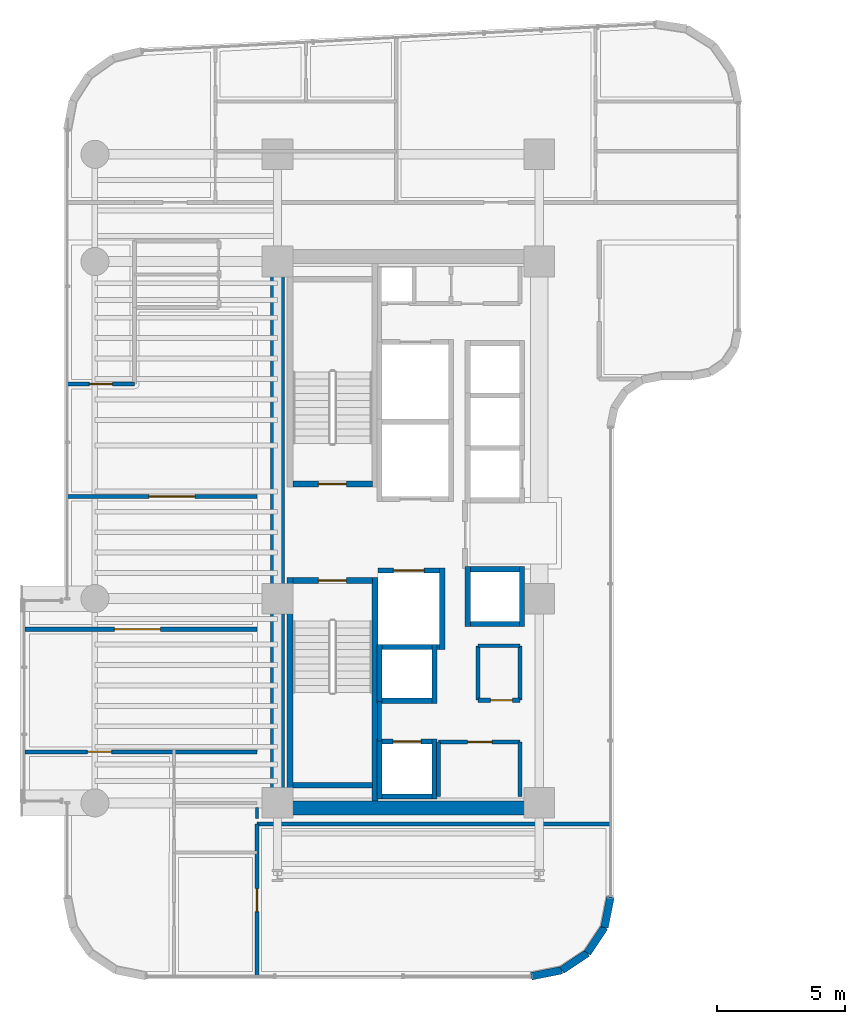
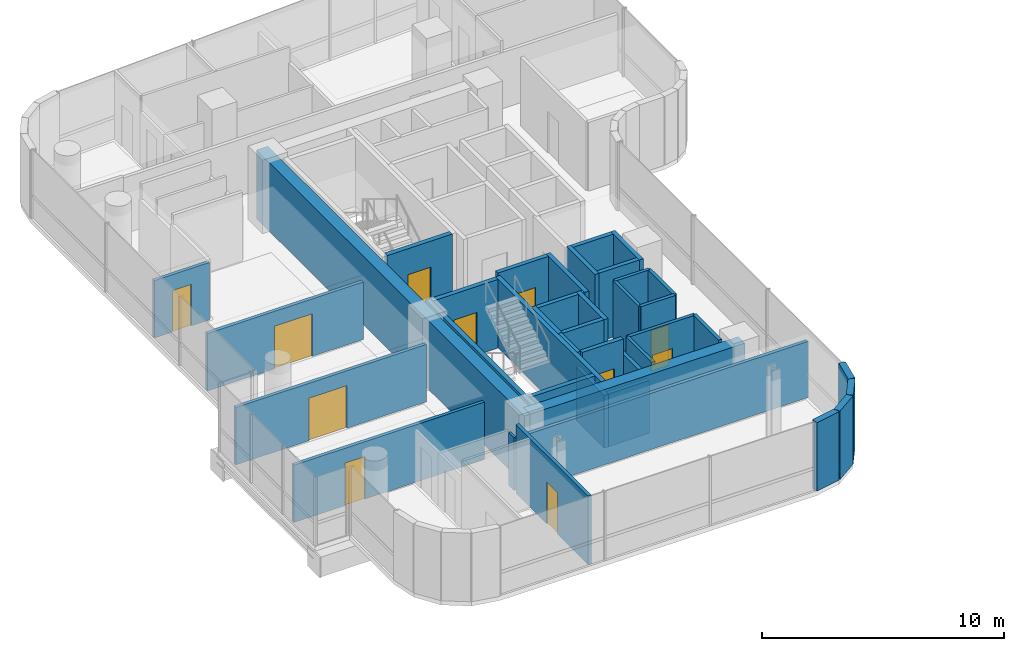
# One storey, part 26 of 34: 40 walls, 11 doors, 11 openings.
"""IFC4 building model written with IfcOpenShell, lengths in metres."""

from ifc_helpers import new_model, si_unit, direction, frame, frame_2d, origin, place, context, subcontext, project, spatial, rectangle, extrude, material, layer, layer_set, type_object, element, fill, save


model = new_model("IFC4")

# Units and contexts
model_context = context("Model", 3, precision=1e-05, world=origin(), true_north=direction((0.0, 1.0)))
body_context = subcontext(model_context, "Body", "Model", "MODEL_VIEW")
ifc_project = project(units=[si_unit("LENGTHUNIT", "METRE"), si_unit("AREAUNIT", "SQUARE_METRE"), si_unit("VOLUMEUNIT", "CUBIC_METRE"), si_unit("PLANEANGLEUNIT", "RADIAN"), si_unit("MASSUNIT", "GRAM", prefix="KILO")], contexts=[model_context])

# Site, building, storey
site_placement = place(None, origin())
site = spatial("IfcSite", under=ifc_project, at=site_placement, CompositionType="ELEMENT")
building_placement = place(site_placement, origin())
building = spatial("IfcBuilding", under=site, at=building_placement, Name="Valdorenza Pilgrim Sanctuary Tower", CompositionType="ELEMENT")
storey_placement = place(building_placement, frame((0.0, 0.0, 164.89990234375)))
storey = spatial("IfcBuildingStorey", under=building, at=storey_placement, Name="L42", CompositionType="ELEMENT", Elevation=164.89990234375)

# Wall
ifc_material_1 = material(Name="Acoustic twin-stud gypsum partition", Category="gypsum")
ifc_layer_1 = layer(ifc_material_1, 0.159912109375, Name="Acoustic twin-stud gypsum partition")
ifc_layer_set_1 = layer_set([ifc_layer_1], Name="Acoustic twin-stud gypsum partition")
wall_type_1 = type_object("IfcWallType", Name="WAL-COR-160", PredefinedType="PARTITIONING", material=ifc_layer_set_1)
wall_1_placement = place(storey_placement, frame((-18.64990234375, -8.179931640625, 0.0), z_axis=(0.0, 0.0, 1.0), x_axis=(0.0, 1.0, 0.0)))
element("IfcWall", 1, at=wall_1_placement, inside=storey, type_object=wall_type_1, Name="L42 Core A South Lift Hall West Wall", PredefinedType="PARTITIONING", context=body_context, shape_type="SweptSolid", body=[
    extrude(rectangle(XDim=1.559814453125, YDim=0.159912109375, at=frame_2d((0.77978515625, 0.0))), origin(), (0.0, 0.0, 1.0), 3.460205078125),
])

# Wall, opening, door
wall_2_placement = place(storey_placement, frame((-16.35009765625, -8.219970703125, 0.0), z_axis=(0.0, 0.0, 1.0), x_axis=(1.0, 0.0, 0.0)))
wall_2 = element("IfcWall", 2, at=wall_2_placement, inside=storey, type_object=wall_type_1, Name="L42 Freed Shaft 1 North Wall", PredefinedType="PARTITIONING", context=body_context, shape_type="SweptSolid", body=[
    extrude(rectangle(XDim=3.2001953125, YDim=0.159912109375, at=frame_2d((1.60009765625, 0.0))), origin(), (0.0, 0.0, 1.0), 3.460205078125),
])
opening_1_placement = place(wall_2_placement, frame((1.14990234375, 0.0, 0.0)))
opening_1 = element("IfcOpeningElement", 3, at=opening_1_placement, cuts=wall_2, Name="Opening DR-UN1", PredefinedType="OPENING", context=body_context, shape_type="SweptSolid", body=[
    extrude(rectangle(XDim=0.949951171875, YDim=2.14990234375, at=frame_2d((0.47509765625, 1.074951171875))), frame((0.0, 0.0947265625, 0.0), z_axis=(0.0, -1.0, 0.0), x_axis=(1.0, 0.0, 0.0)), (0.0, 0.0, 1.0), 0.189697265625),
])
ifc_material_2 = material(Name="Solid-core European oak timber", Category="wood")
door_type_1 = type_object("IfcDoorType", Name="DR-UNIT-950", OperationType="NOTDEFINED", PredefinedType="DOOR", material=ifc_material_2)
door_1_placement = place(opening_1_placement, origin())
door_1 = element("IfcDoor", 4, at=door_1_placement, inside=storey, type_object=door_type_1, Name="L42 Back-of-House Linen Store Door", OperationType="SINGLE_SWING_RIGHT", OverallHeight=2.14990234375, OverallWidth=0.949951171875, PredefinedType="DOOR", context=body_context, shape_type="SweptSolid", body=[
    extrude(rectangle(XDim=0.949951171875, YDim=2.14990234375, at=frame_2d((0.47509765625, 1.074951171875))), frame((0.0, 0.02490234375, 0.0), z_axis=(0.0, -1.0, 0.0), x_axis=(1.0, 0.0, 0.0)), (0.0, 0.0, 1.0), 0.050048828125),
])
fill(opening_1, door_1)

# Wall
wall_3_placement = place(storey_placement, frame((-13.14990234375, -10.35009765625, 0.0), z_axis=(0.0, 0.0, 1.0), x_axis=(0.0, 1.0, 0.0)))
element("IfcWall", 5, at=wall_3_placement, inside=storey, type_object=wall_type_1, Name="L42 Freed Shaft 1 East Wall", PredefinedType="PARTITIONING", context=body_context, shape_type="SweptSolid", body=[
    extrude(rectangle(XDim=2.130126953125, YDim=0.159912109375, at=frame_2d((1.06494140625, 0.0))), origin(), (0.0, 0.0, 1.0), 3.460205078125),
])

# Wall, opening, door
wall_4_placement = place(storey_placement, frame((-14.800048828125, -6.580078125, 0.0), z_axis=(0.0, 0.0, 1.0), x_axis=(1.0, 0.0, 0.0)))
wall_4 = element("IfcWall", 6, at=wall_4_placement, inside=storey, type_object=wall_type_1, Name="L42 Freed Shaft 2 South Wall", PredefinedType="PARTITIONING", context=body_context, shape_type="SweptSolid", body=[
    extrude(rectangle(XDim=1.650146484375, YDim=0.159912109375, at=frame_2d((0.8251953125, 0.0))), origin(), (0.0, 0.0, 1.0), 3.460205078125),
])
opening_2_placement = place(wall_4_placement, frame((0.5, 0.0, 0.0)))
opening_2 = element("IfcOpeningElement", 7, at=opening_2_placement, cuts=wall_4, Name="Opening DR-RS1", PredefinedType="OPENING", context=body_context, shape_type="SweptSolid", body=[
    extrude(rectangle(XDim=0.85009765625, YDim=2.050048828125, at=frame_2d((0.425048828125, 1.02490234375))), frame((0.0, 0.0947265625, 0.0), z_axis=(0.0, -1.0, 0.0), x_axis=(1.0, 0.0, 0.0)), (0.0, 0.0, 1.0), 0.189697265625),
])
ifc_material_3 = material(Name="Painted galvanized steel", Category="steel")
door_type_2 = type_object("IfcDoorType", Name="DR-RSR-850", OperationType="NOTDEFINED", PredefinedType="DOOR", material=ifc_material_3)
door_2_placement = place(opening_2_placement, origin())
door_2 = element("IfcDoor", 8, at=door_2_placement, inside=storey, type_object=door_type_2, Name="L42 Guest Tea Pantry Door", OperationType="SINGLE_SWING_LEFT", OverallHeight=2.050048828125, OverallWidth=0.85009765625, PredefinedType="DOOR", context=body_context, shape_type="SweptSolid", body=[
    extrude(rectangle(XDim=0.85009765625, YDim=2.050048828125, at=frame_2d((0.425048828125, 1.02490234375))), frame((0.0, 0.02490234375, 0.0), z_axis=(0.0, -1.0, 0.0), x_axis=(1.0, 0.0, 0.0)), (0.0, 0.0, 1.0), 0.050048828125),
])
fill(opening_2, door_2)

# Walls
wall_5_placement = place(storey_placement, frame((-13.14990234375, -6.580078125, 0.0), z_axis=(0.0, 0.0, 1.0), x_axis=(0.0, 1.0, 0.0)))
element("IfcWall", 9, at=wall_5_placement, inside=storey, type_object=wall_type_1, Name="L42 Freed Shaft 2 East Wall", PredefinedType="PARTITIONING", context=body_context, shape_type="SweptSolid", body=[
    extrude(rectangle(XDim=2.130126953125, YDim=0.159912109375, at=frame_2d((1.06494140625, 0.0))), origin(), (0.0, 0.0, 1.0), 3.460205078125),
])
wall_6_placement = place(storey_placement, frame((-23.449951171875, -11.419921875, 0.0), z_axis=(0.0, 0.0, 1.0), x_axis=(1.0, 0.0, 0.0)))
element("IfcWall", 10, at=wall_6_placement, inside=storey, type_object=wall_type_1, Name="L42 South-East Pocket North Wall", PredefinedType="PARTITIONING", context=body_context, shape_type="SweptSolid", body=[
    extrude(rectangle(XDim=13.83984375, YDim=0.159912109375, at=frame_2d((6.919921875, 0.0))), origin(), (0.0, 0.0, 1.0), 2.833984375),
])

# Wall, opening, door
wall_7_placement = place(storey_placement, frame((-23.449951171875, -17.389892578125, 0.0), z_axis=(0.0, 0.0, 1.0), x_axis=(0.0, 1.0, 0.0)))
wall_7 = element("IfcWall", 11, at=wall_7_placement, inside=storey, type_object=wall_type_1, Name="L42 South-East Pocket West Wall", PredefinedType="PARTITIONING", context=body_context, shape_type="SweptSolid", body=[
    extrude(rectangle(XDim=5.969970703125, YDim=0.159912109375, at=frame_2d((2.98486328125, 0.0))), origin(), (0.0, 0.0, 1.0), 3.460205078125),
])
opening_3_placement = place(wall_7_placement, frame((2.534912109375, 0.0, 0.0)))
opening_3 = element("IfcOpeningElement", 12, at=opening_3_placement, cuts=wall_7, Name="Opening DR-RM1", PredefinedType="OPENING", context=body_context, shape_type="SweptSolid", body=[
    extrude(rectangle(XDim=0.89990234375, YDim=2.10009765625, at=frame_2d((0.449951171875, 1.050048828125))), frame((0.0, 0.0947265625, 0.0), z_axis=(0.0, -1.0, 0.0), x_axis=(1.0, 0.0, 0.0)), (0.0, 0.0, 1.0), 0.189697265625),
])
door_type_3 = type_object("IfcDoorType", Name="DR-ROOM-900", OperationType="NOTDEFINED", PredefinedType="DOOR", material=ifc_material_2)
door_3_placement = place(opening_3_placement, origin())
door_3 = element("IfcDoor", 13, at=door_3_placement, inside=storey, type_object=door_type_3, Name="L42 Sacred Archive Reading Library L42-S Door", OperationType="SINGLE_SWING_RIGHT", OverallHeight=2.10009765625, OverallWidth=0.89990234375, PredefinedType="DOOR", context=body_context, shape_type="SweptSolid", body=[
    extrude(rectangle(XDim=0.89990234375, YDim=2.10009765625, at=frame_2d((0.449951171875, 1.050048828125))), frame((0.0, 0.02490234375, 0.0), z_axis=(0.0, -1.0, 0.0), x_axis=(1.0, 0.0, 0.0)), (0.0, 0.0, 1.0), 0.050048828125),
])
fill(opening_3, door_3)

wall_8_placement = place(storey_placement, frame((-32.5400390625, -8.60009765625, 0.0), z_axis=(0.0, 0.0, 1.0), x_axis=(1.0, 0.0, 0.0)))
wall_8 = element("IfcWall", 14, at=wall_8_placement, inside=storey, type_object=wall_type_1, Name="L42 Cloister South Room Wall", PredefinedType="PARTITIONING", context=body_context, shape_type="SweptSolid", body=[
    extrude(rectangle(XDim=9.090087890625, YDim=0.159912109375, at=frame_2d((4.544921875, 0.0))), origin(), (0.0, 0.0, 1.0), 2.89599609375),
])
opening_4_placement = place(wall_8_placement, frame((2.44091796875, 0.0, 0.0)))
opening_4 = element("IfcOpeningElement", 15, at=opening_4_placement, cuts=wall_8, Name="Opening DR-UN1", PredefinedType="OPENING", context=body_context, shape_type="SweptSolid", body=[
    extrude(rectangle(XDim=0.949951171875, YDim=2.14990234375, at=frame_2d((0.47509765625, 1.074951171875))), frame((0.0, 0.0947265625, 0.0), z_axis=(0.0, -1.0, 0.0), x_axis=(1.0, 0.0, 0.0)), (0.0, 0.0, 1.0), 0.189697265625),
])
door_4_placement = place(opening_4_placement, frame((0.949951171875, 0.0, 0.0), z_axis=(0.0, 0.0, 1.0), x_axis=(-1.0, 0.0, 0.0)))
door_4 = element("IfcDoor", 16, at=door_4_placement, inside=storey, type_object=door_type_1, Name="L42 Sanctuary Apartment L42-CS1 Entrance Door", OperationType="SINGLE_SWING_LEFT", OverallHeight=2.14990234375, OverallWidth=0.949951171875, PredefinedType="DOOR", context=body_context, shape_type="SweptSolid", body=[
    extrude(rectangle(XDim=0.949951171875, YDim=2.14990234375, at=frame_2d((0.47509765625, 1.074951171875))), frame((0.0, 0.02490234375, 0.0), z_axis=(0.0, -1.0, 0.0), x_axis=(1.0, 0.0, 0.0)), (0.0, 0.0, 1.0), 0.050048828125),
])
fill(opening_4, door_4)

wall_9_placement = place(storey_placement, frame((-30.889892578125, 5.800048828125, 0.0), z_axis=(0.0, 0.0, 1.0), x_axis=(1.0, 0.0, 0.0)))
wall_9 = element("IfcWall", 17, at=wall_9_placement, inside=storey, type_object=wall_type_1, Name="L42 Cloister North Room Wall", PredefinedType="PARTITIONING", context=body_context, shape_type="SweptSolid", body=[
    extrude(rectangle(XDim=2.639892578125, YDim=0.159912109375, at=frame_2d((1.31982421875, 0.0))), origin(), (0.0, 0.0, 1.0), 2.89599609375),
])
opening_5_placement = place(wall_9_placement, frame((0.8701171875, 0.0, 0.0)))
opening_5 = element("IfcOpeningElement", 18, at=opening_5_placement, cuts=wall_9, Name="Opening DR-RM1", PredefinedType="OPENING", context=body_context, shape_type="SweptSolid", body=[
    extrude(rectangle(XDim=0.89990234375, YDim=2.10009765625, at=frame_2d((0.449951171875, 1.050048828125))), frame((0.0, 0.0947265625, 0.0), z_axis=(0.0, -1.0, 0.0), x_axis=(1.0, 0.0, 0.0)), (0.0, 0.0, 1.0), 0.189697265625),
])
door_5_placement = place(opening_5_placement, frame((0.89990234375, 0.0, 0.0), z_axis=(0.0, 0.0, 1.0), x_axis=(-1.0, 0.0, 0.0)))
door_5 = element("IfcDoor", 19, at=door_5_placement, inside=storey, type_object=door_type_3, Name="L42 Pilgrim Scholar Office L42-1 Door", OperationType="SINGLE_SWING_LEFT", OverallHeight=2.10009765625, OverallWidth=0.89990234375, PredefinedType="DOOR", context=body_context, shape_type="SweptSolid", body=[
    extrude(rectangle(XDim=0.89990234375, YDim=2.10009765625, at=frame_2d((0.449951171875, 1.050048828125))), frame((0.0, 0.02490234375, 0.0), z_axis=(0.0, -1.0, 0.0), x_axis=(1.0, 0.0, 0.0)), (0.0, 0.0, 1.0), 0.050048828125),
])
fill(opening_5, door_5)

wall_10_placement = place(storey_placement, frame((-32.5400390625, -3.800048828125, 0.0), z_axis=(0.0, 0.0, 1.0), x_axis=(1.0, 0.0, 0.0)))
wall_10 = element("IfcWall", 20, at=wall_10_placement, inside=storey, type_object=wall_type_1, Name="L42 Cloister Mid Wall 1", PredefinedType="PARTITIONING", context=body_context, shape_type="SweptSolid", body=[
    extrude(rectangle(XDim=9.090087890625, YDim=0.159912109375, at=frame_2d((4.544921875, 0.0))), origin(), (0.0, 0.0, 1.0), 2.89599609375),
])
opening_6_placement = place(wall_10_placement, frame((3.5, 0.0, 0.0)))
opening_6 = element("IfcOpeningElement", 21, at=opening_6_placement, cuts=wall_10, Name="Opening DR-HL1", PredefinedType="OPENING", context=body_context, shape_type="SweptSolid", body=[
    extrude(rectangle(XDim=1.800048828125, YDim=2.14990234375, at=frame_2d((0.89990234375, 1.074951171875))), frame((0.0, 0.0947265625, 0.0), z_axis=(0.0, -1.0, 0.0), x_axis=(1.0, 0.0, 0.0)), (0.0, 0.0, 1.0), 0.189697265625),
])
ifc_material_4 = material(Name="Acoustic oak and vision-glass double door", Category="glass")
door_type_4 = type_object("IfcDoorType", Name="DR-HALL-1800", OperationType="NOTDEFINED", PredefinedType="DOOR", material=ifc_material_4)
door_6_placement = place(opening_6_placement, origin())
door_6 = element("IfcDoor", 22, at=door_6_placement, inside=storey, type_object=door_type_4, Name="L42 Cloister South-Mid Double Door", OperationType="DOUBLE_DOOR_SINGLE_SWING", OverallHeight=2.14990234375, OverallWidth=1.800048828125, PredefinedType="DOOR", context=body_context, shape_type="SweptSolid", body=[
    extrude(rectangle(XDim=1.800048828125, YDim=2.14990234375, at=frame_2d((0.89990234375, 1.074951171875))), frame((0.0, 0.02490234375, 0.0), z_axis=(0.0, -1.0, 0.0), x_axis=(1.0, 0.0, 0.0)), (0.0, 0.0, 1.0), 0.050048828125),
])
fill(opening_6, door_6)

wall_11_placement = place(storey_placement, frame((-30.889892578125, 1.39990234375, 0.0), z_axis=(0.0, 0.0, 1.0), x_axis=(1.0, 0.0, 0.0)))
wall_11 = element("IfcWall", 23, at=wall_11_placement, inside=storey, type_object=wall_type_1, Name="L42 Cloister Mid Wall 2", PredefinedType="PARTITIONING", context=body_context, shape_type="SweptSolid", body=[
    extrude(rectangle(XDim=7.43994140625, YDim=0.159912109375, at=frame_2d((3.719970703125, 0.0))), origin(), (0.0, 0.0, 1.0), 2.89599609375),
])
opening_7_placement = place(wall_11_placement, frame((3.199951171875, 0.0, 0.0)))
opening_7 = element("IfcOpeningElement", 24, at=opening_7_placement, cuts=wall_11, Name="Opening DR-HL1", PredefinedType="OPENING", context=body_context, shape_type="SweptSolid", body=[
    extrude(rectangle(XDim=1.800048828125, YDim=2.14990234375, at=frame_2d((0.89990234375, 1.074951171875))), frame((0.0, 0.0947265625, 0.0), z_axis=(0.0, -1.0, 0.0), x_axis=(1.0, 0.0, 0.0)), (0.0, 0.0, 1.0), 0.189697265625),
])
door_7_placement = place(opening_7_placement, frame((1.800048828125, 0.0, 0.0), z_axis=(0.0, 0.0, 1.0), x_axis=(-1.0, 0.0, 0.0)))
door_7 = element("IfcDoor", 25, at=door_7_placement, inside=storey, type_object=door_type_4, Name="L42 Cloister Mid-North Double Door", OperationType="DOUBLE_DOOR_SINGLE_SWING", OverallHeight=2.14990234375, OverallWidth=1.800048828125, PredefinedType="DOOR", context=body_context, shape_type="SweptSolid", body=[
    extrude(rectangle(XDim=1.800048828125, YDim=2.14990234375, at=frame_2d((0.89990234375, 1.074951171875))), frame((0.0, 0.02490234375, 0.0), z_axis=(0.0, -1.0, 0.0), x_axis=(1.0, 0.0, 0.0)), (0.0, 0.0, 1.0), 0.050048828125),
])
fill(opening_7, door_7)

# Walls
ifc_material_5 = material(Name="Concrete C50/60", Category="concrete")
ifc_layer_2 = layer(ifc_material_5, 0.550048828125, Name="Concrete C50/60")
ifc_layer_set_2 = layer_set([ifc_layer_2], Name="Concrete C50/60")
wall_type_2 = type_object("IfcWallType", Name="WAL-COR-550", PredefinedType="SHEAR", material=ifc_layer_set_2)
wall_12_placement = place(storey_placement, frame((-22.64990234375, -11.074951171875, 0.0), z_axis=(0.0, 0.0, 1.0), x_axis=(0.0, 1.0, 0.0)))
element("IfcWall", 26, at=wall_12_placement, inside=storey, type_object=wall_type_2, Name="L42 Split Core A Shear Wall W", PredefinedType="SHEAR", context=body_context, shape_type="SweptSolid", body=[
    extrude(rectangle(XDim=22.14990234375, YDim=0.550048828125, at=frame_2d((11.074951171875, 0.0))), origin(), (0.0, 0.0, 1.0), 3.460205078125),
])
wall_13_placement = place(storey_placement, frame((-22.64990234375, -10.800048828125, 0.0), z_axis=(0.0, 0.0, 1.0), x_axis=(1.0, 0.0, 0.0)))
element("IfcWall", 27, at=wall_13_placement, inside=storey, type_object=wall_type_2, Name="L42 Split Core A Shear Wall S", PredefinedType="SHEAR", context=body_context, shape_type="SweptSolid", body=[
    extrude(rectangle(XDim=10.25, YDim=0.550048828125, at=frame_2d((5.125, 0.0))), origin(), (0.0, 0.0, 1.0), 3.460205078125),
])
ifc_material_6 = material(Name="Honed travertine limestone", Category="masonry")
ifc_layer_3 = layer(ifc_material_6, 0.300048828125, Name="Honed travertine limestone")
ifc_layer_set_3 = layer_set([ifc_layer_3], Name="Honed travertine limestone")
wall_type_3 = type_object("IfcWallType", Name="WAL-EXT-300", PredefinedType="SOLIDWALL", material=ifc_layer_set_3)
wall_14_placement = place(storey_placement, frame((-9.610107421875, -14.289306640625, 0.0), z_axis=(0.0, 0.0, 1.0), x_axis=(-0.194996050505, -0.980804027463, 0.0)))
element("IfcWall", 28, at=wall_14_placement, inside=storey, type_object=wall_type_3, Name="L42 Rounded Wind-Corner Stone Pier 22", PredefinedType="SOLIDWALL", context=body_context, shape_type="SweptSolid", body=[
    extrude(rectangle(XDim=1.2158203125, YDim=0.300048828125, at=frame_2d((0.60791015625, 0.0))), origin(), (0.0, 0.0, 1.0), 3.460205078125),
])
for number, where, z_axis, x_axis, name in (
    (29, (-9.84716796875, -15.481689453125, 0.0), (0.0, 0.0, 1.0), (-0.555635100982, -0.831426265255, 0.0), "L42 Rounded Wind-Corner Stone Pier 23"),
    (30, (-10.5166015625, -16.4833984375, 0.0), (0.0, 0.0, 1.0), (-0.831426265255, -0.555635100982, 0.0), "L42 Rounded Wind-Corner Stone Pier 24"),
):
    element("IfcWall", number, at=place(storey_placement, frame(where, z_axis=z_axis, x_axis=x_axis)), inside=storey, type_object=wall_type_3, Name=name, PredefinedType="SOLIDWALL", context=body_context, shape_type="SweptSolid", body=[
        extrude(rectangle(XDim=1.204833984375, YDim=0.300048828125, at=frame_2d((0.6025390625, 0.0))), origin(), (0.0, 0.0, 1.0), 3.460205078125),
    ])
wall_15_placement = place(storey_placement, frame((-11.518310546875, -17.15283203125, 0.0), z_axis=(0.0, 0.0, 1.0), x_axis=(-0.980804027463, -0.194996050505, 0.0)))
element("IfcWall", 31, at=wall_15_placement, inside=storey, type_object=wall_type_3, Name="L42 Rounded Wind-Corner Stone Pier 25", PredefinedType="SOLIDWALL", context=body_context, shape_type="SweptSolid", body=[
    extrude(rectangle(XDim=1.2158203125, YDim=0.300048828125, at=frame_2d((0.60791015625, 0.0))), origin(), (0.0, 0.0, 1.0), 3.460205078125),
])
ifc_material_7 = material(Name="Moisture-resistant gypsum partition", Category="gypsum")
ifc_layer_4 = layer(ifc_material_7, 0.1201171875, Name="Moisture-resistant gypsum partition")
ifc_layer_set_4 = layer_set([ifc_layer_4], Name="Moisture-resistant gypsum partition")
wall_type_4 = type_object("IfcWallType", Name="WAL-INT-120", PredefinedType="PARTITIONING", material=ifc_layer_set_4)
wall_16_placement = place(storey_placement, frame((-23.449951171875, -11.219970703125, 0.0), z_axis=(0.0, 0.0, 1.0), x_axis=(0.0, 1.0, 0.0)))
element("IfcWall", 32, at=wall_16_placement, inside=storey, type_object=wall_type_4, Name="L42 CL-SF1-BTH Enclosure Wall E", PredefinedType="PARTITIONING", context=body_context, shape_type="SweptSolid", body=[
    extrude(rectangle(XDim=0.43994140625, YDim=0.1201171875, at=frame_2d((0.219970703125, 0.0))), origin(), (0.0, 0.0, 1.0), 2.666015625),
])
ifc_material_8 = material(Name="Autoclaved aerated concrete blockwork", Category="masonry")
ifc_layer_5 = layer(ifc_material_8, 0.199951171875, Name="Autoclaved aerated concrete blockwork")
ifc_layer_set_5 = layer_set([ifc_layer_5], Name="Autoclaved aerated concrete blockwork")
wall_type_5 = type_object("IfcWallType", Name="WAL-SHF-200", PredefinedType="MOVABLE", material=ifc_layer_set_5)
wall_17_placement = place(storey_placement, frame((-16.199951171875, -4.60009765625, 0.0), z_axis=(0.0, 0.0, 1.0), x_axis=(0.0, 1.0, 0.0)))
element("IfcWall", 33, at=wall_17_placement, inside=storey, type_object=wall_type_5, Name="L42 Lift FFL-02 Hoistway Wall East", PredefinedType="MOVABLE", context=body_context, shape_type="SweptSolid", body=[
    extrude(rectangle(XDim=3.2001953125, YDim=0.199951171875, at=frame_2d((1.60009765625, 0.0))), origin(), (0.0, 0.0, 1.0), 3.460205078125),
])
wall_18_placement = place(storey_placement, frame((-18.719970703125, -4.5, 0.0), z_axis=(0.0, 0.0, 1.0), x_axis=(1.0, 0.0, 0.0)))
element("IfcWall", 34, at=wall_18_placement, inside=storey, type_object=wall_type_5, Name="L42 Lift FFL-02 Hoistway Wall South", PredefinedType="MOVABLE", context=body_context, shape_type="SweptSolid", body=[
    extrude(rectangle(XDim=2.419921875, YDim=0.199951171875, at=frame_2d((1.2099609375, 0.0))), origin(), (0.0, 0.0, 1.0), 3.460205078125),
])

# Wall, opening, door
wall_19_placement = place(storey_placement, frame((-18.719970703125, -1.5, 0.0), z_axis=(0.0, 0.0, 1.0), x_axis=(1.0, 0.0, 0.0)))
wall_19 = element("IfcWall", 35, at=wall_19_placement, inside=storey, type_object=wall_type_5, Name="L42 Lift FFL-02 Hoistway Wall North", PredefinedType="MOVABLE", context=body_context, shape_type="SweptSolid", body=[
    extrude(rectangle(XDim=2.419921875, YDim=0.199951171875, at=frame_2d((1.2099609375, 0.0))), origin(), (0.0, 0.0, 1.0), 3.460205078125),
])
opening_8_placement = place(wall_19_placement, frame((0.610107421875, 0.0, 0.0)))
opening_8 = element("IfcOpeningElement", 36, at=opening_8_placement, cuts=wall_19, Name="Opening LD-02", PredefinedType="OPENING", context=body_context, shape_type="SweptSolid", body=[
    extrude(rectangle(XDim=1.199951171875, YDim=2.10009765625, at=frame_2d((0.60009765625, 1.050048828125))), frame((0.0, 0.11474609375, 0.0), z_axis=(0.0, -1.0, 0.0), x_axis=(1.0, 0.0, 0.0)), (0.0, 0.0, 1.0), 0.229736328125),
])
ifc_material_9 = material(Name="Brushed stainless steel Grade 316", Category="steel")
door_type_5 = type_object("IfcDoorType", Name="DR-LFT-1200", OperationType="DOUBLE_DOOR_SLIDING", PredefinedType="DOOR", material=ifc_material_9)
door_8_placement = place(opening_8_placement, origin())
door_8 = element("IfcDoor", 37, at=door_8_placement, inside=storey, type_object=door_type_5, Name="L42 Lift FFL-02 Sliding Landing Door", OperationType="DOUBLE_DOOR_SLIDING", OverallHeight=2.10009765625, OverallWidth=1.199951171875, PredefinedType="DOOR", context=body_context, shape_type="SweptSolid", body=[
    extrude(rectangle(XDim=1.199951171875, YDim=2.10009765625, at=frame_2d((0.60009765625, 1.050048828125))), frame((0.0, 0.02490234375, 0.0), z_axis=(0.0, -1.0, 0.0), x_axis=(1.0, 0.0, 0.0)), (0.0, 0.0, 1.0), 0.050048828125),
])
fill(opening_8, door_8)

# Walls
for number, where, z_axis, x_axis, name in (
    (38, (-18.64990234375, -10.449951171875, 0.0), (0.0, 0.0, 1.0), (0.0, 1.0, 0.0), "L42 Lift PL-05 Hoistway Wall West"),
    (39, (-16.5, -10.449951171875, 0.0), (0.0, 0.0, 1.0), (0.0, 1.0, 0.0), "L42 Lift PL-05 Hoistway Wall East"),
):
    element("IfcWall", number, at=place(storey_placement, frame(where, z_axis=z_axis, x_axis=x_axis)), inside=storey, type_object=wall_type_5, Name=name, PredefinedType="MOVABLE", context=body_context, shape_type="SweptSolid", body=[
        extrude(rectangle(XDim=2.349853515625, YDim=0.199951171875, at=frame_2d((1.1748046875, 0.0))), origin(), (0.0, 0.0, 1.0), 2.666015625),
    ])
wall_20_placement = place(storey_placement, frame((-18.550048828125, -10.35009765625, 0.0), z_axis=(0.0, 0.0, 1.0), x_axis=(1.0, 0.0, 0.0)))
element("IfcWall", 40, at=wall_20_placement, inside=storey, type_object=wall_type_5, Name="L42 Lift PL-05 Hoistway Wall South", PredefinedType="MOVABLE", context=body_context, shape_type="SweptSolid", body=[
    extrude(rectangle(XDim=1.949951171875, YDim=0.199951171875, at=frame_2d((0.97509765625, 0.0))), origin(), (0.0, 0.0, 1.0), 2.666015625),
])

# Wall, opening, door
wall_21_placement = place(storey_placement, frame((-18.550048828125, -8.199951171875, 0.0), z_axis=(0.0, 0.0, 1.0), x_axis=(1.0, 0.0, 0.0)))
wall_21 = element("IfcWall", 41, at=wall_21_placement, inside=storey, type_object=wall_type_5, Name="L42 Lift PL-05 Hoistway Wall North", PredefinedType="MOVABLE", context=body_context, shape_type="SweptSolid", body=[
    extrude(rectangle(XDim=1.949951171875, YDim=0.199951171875, at=frame_2d((0.97509765625, 0.0))), origin(), (0.0, 0.0, 1.0), 3.460205078125),
])
opening_9_placement = place(wall_21_placement, frame((0.425048828125, 0.0, 0.0)))
opening_9 = element("IfcOpeningElement", 42, at=opening_9_placement, cuts=wall_21, Name="Opening LD-01", PredefinedType="OPENING", context=body_context, shape_type="SweptSolid", body=[
    extrude(rectangle(XDim=1.10009765625, YDim=2.10009765625, at=frame_2d((0.550048828125, 1.050048828125))), frame((0.0, 0.11474609375, 0.0), z_axis=(0.0, -1.0, 0.0), x_axis=(1.0, 0.0, 0.0)), (0.0, 0.0, 1.0), 0.229736328125),
])
door_type_6 = type_object("IfcDoorType", Name="DR-LFT-1100", OperationType="DOUBLE_DOOR_SLIDING", PredefinedType="DOOR", material=ifc_material_9)
door_9_placement = place(opening_9_placement, origin())
door_9 = element("IfcDoor", 43, at=door_9_placement, inside=storey, type_object=door_type_6, Name="L42 Lift PL-05 Sliding Landing Door", OperationType="DOUBLE_DOOR_SLIDING", OverallHeight=2.10009765625, OverallWidth=1.10009765625, PredefinedType="DOOR", context=body_context, shape_type="SweptSolid", body=[
    extrude(rectangle(XDim=1.10009765625, YDim=2.10009765625, at=frame_2d((0.550048828125, 1.050048828125))), frame((0.0, 0.02490234375, 0.0), z_axis=(0.0, -1.0, 0.0), x_axis=(1.0, 0.0, 0.0)), (0.0, 0.0, 1.0), 0.050048828125),
])
fill(opening_9, door_9)

# Walls
for number, where, z_axis, x_axis, name in (
    (44, (-18.64990234375, -6.699951171875, 0.0), (0.0, 0.0, 1.0), (0.0, 1.0, 0.0), "L42 Lift PL-11 Hoistway Wall West"),
    (45, (-16.5, -6.699951171875, 0.0), (0.0, 0.0, 1.0), (0.0, 1.0, 0.0), "L42 Lift PL-11 Hoistway Wall East"),
):
    element("IfcWall", number, at=place(storey_placement, frame(where, z_axis=z_axis, x_axis=x_axis)), inside=storey, type_object=wall_type_5, Name=name, PredefinedType="MOVABLE", context=body_context, shape_type="SweptSolid", body=[
        extrude(rectangle(XDim=2.300048828125, YDim=0.199951171875, at=frame_2d((1.14990234375, 0.0))), origin(), (0.0, 0.0, 1.0), 3.460205078125),
    ])
wall_22_placement = place(storey_placement, frame((-18.550048828125, -6.60009765625, 0.0), z_axis=(0.0, 0.0, 1.0), x_axis=(1.0, 0.0, 0.0)))
element("IfcWall", 46, at=wall_22_placement, inside=storey, type_object=wall_type_5, Name="L42 Lift PL-11 Hoistway Wall South", PredefinedType="MOVABLE", context=body_context, shape_type="SweptSolid", body=[
    extrude(rectangle(XDim=1.949951171875, YDim=0.199951171875, at=frame_2d((0.97509765625, 0.0))), origin(), (0.0, 0.0, 1.0), 3.460205078125),
])
for number, where, z_axis, x_axis, name in (
    (47, (-15.199951171875, -3.699951171875, 0.0), (0.0, 0.0, 1.0), (0.0, 1.0, 0.0), "L42 Lift PL-12 Hoistway Wall West"),
    (48, (-13.080078125, -3.699951171875, 0.0), (0.0, 0.0, 1.0), (0.0, 1.0, 0.0), "L42 Lift PL-12 Hoistway Wall East"),
):
    element("IfcWall", number, at=place(storey_placement, frame(where, z_axis=z_axis, x_axis=x_axis)), inside=storey, type_object=wall_type_5, Name=name, PredefinedType="MOVABLE", context=body_context, shape_type="SweptSolid", body=[
        extrude(rectangle(XDim=2.349853515625, YDim=0.199951171875, at=frame_2d((1.1748046875, 0.0))), origin(), (0.0, 0.0, 1.0), 3.460205078125),
    ])
for number, where, z_axis, x_axis, name in (
    (49, (-15.10009765625, -3.60009765625, 0.0), (0.0, 0.0, 1.0), (1.0, 0.0, 0.0), "L42 Lift PL-12 Hoistway Wall South"),
    (50, (-15.10009765625, -1.449951171875, 0.0), (0.0, 0.0, 1.0), (1.0, 0.0, 0.0), "L42 Lift PL-12 Hoistway Wall North"),
):
    element("IfcWall", number, at=place(storey_placement, frame(where, z_axis=z_axis, x_axis=x_axis)), inside=storey, type_object=wall_type_5, Name=name, PredefinedType="MOVABLE", context=body_context, shape_type="SweptSolid", body=[
        extrude(rectangle(XDim=1.920166015625, YDim=0.199951171875, at=frame_2d((0.9599609375, 0.0))), origin(), (0.0, 0.0, 1.0), 3.460205078125),
    ])

# Wall, opening, door
ifc_material_10 = material(Name="Concrete C40/50", Category="concrete")
ifc_layer_6 = layer(ifc_material_10, 0.219970703125, Name="Concrete C40/50")
ifc_layer_set_6 = layer_set([ifc_layer_6], Name="Concrete C40/50")
wall_type_6 = type_object("IfcWallType", Name="WAL-STR-SHF-220", PredefinedType="SHEAR", material=ifc_layer_set_6)
wall_23_placement = place(storey_placement, frame((-22.050048828125, 1.889892578125, 0.0), z_axis=(0.0, 0.0, 1.0), x_axis=(1.0, 0.0, 0.0)))
wall_23 = element("IfcWall", 51, at=wall_23_placement, inside=storey, type_object=wall_type_6, Name="L42 ST-A1 Structural Stairwell Wall S", PredefinedType="SHEAR", context=body_context, shape_type="SweptSolid", body=[
    extrude(rectangle(XDim=3.110107421875, YDim=0.219970703125, at=frame_2d((1.55517578125, 0.0))), origin(), (0.0, 0.0, 1.0), 3.460205078125),
])
opening_10_placement = place(wall_23_placement, frame((1.0, 0.0, 0.0)))
opening_10 = element("IfcOpeningElement", 52, at=opening_10_placement, cuts=wall_23, Name="Opening DR-ST1", PredefinedType="OPENING", context=body_context, shape_type="SweptSolid", body=[
    extrude(rectangle(XDim=1.10009765625, YDim=2.14990234375, at=frame_2d((0.550048828125, 1.074951171875))), frame((0.0, 0.125, 0.0), z_axis=(0.0, -1.0, 0.0), x_axis=(1.0, 0.0, 0.0)), (0.0, 0.0, 1.0), 0.249755859375),
])
door_type_7 = type_object("IfcDoorType", Name="DR-STAIR-1100", OperationType="NOTDEFINED", PredefinedType="DOOR", material=ifc_material_3)
door_10_placement = place(opening_10_placement, frame((1.10009765625, 0.0, 0.0), z_axis=(0.0, 0.0, 1.0), x_axis=(-1.0, 0.0, 0.0)))
door_10 = element("IfcDoor", 53, at=door_10_placement, inside=storey, type_object=door_type_7, Name="L42 Exit Stair ST-A1 Door", OperationType="SINGLE_SWING_LEFT", OverallHeight=2.14990234375, OverallWidth=1.10009765625, PredefinedType="DOOR", context=body_context, shape_type="SweptSolid", body=[
    extrude(rectangle(XDim=1.10009765625, YDim=2.14990234375, at=frame_2d((0.550048828125, 1.074951171875))), frame((0.0, 0.02490234375, 0.0), z_axis=(0.0, -1.0, 0.0), x_axis=(1.0, 0.0, 0.0)), (0.0, 0.0, 1.0), 0.050048828125),
])
fill(opening_10, door_10)

# Walls
for number, where, z_axis, x_axis, name in (
    (54, (-22.159912109375, -10.52490234375, 0.0), (0.0, 0.0, 1.0), (0.0, 1.0, 0.0), "L42 ST-A2 Structural Stairwell Wall W"),
    (55, (-18.830078125, -10.52490234375, 0.0), (0.0, 0.0, 1.0), (0.0, 1.0, 0.0), "L42 ST-A2 Structural Stairwell Wall E"),
):
    element("IfcWall", number, at=place(storey_placement, frame(where, z_axis=z_axis, x_axis=x_axis)), inside=storey, type_object=wall_type_6, Name=name, PredefinedType="SHEAR", context=body_context, shape_type="SweptSolid", body=[
        extrude(rectangle(XDim=8.744873046875, YDim=0.219970703125, at=frame_2d((4.37255859375, 0.0))), origin(), (0.0, 0.0, 1.0), 3.460205078125),
    ])
wall_24_placement = place(storey_placement, frame((-22.050048828125, -9.909912109375, 0.0), z_axis=(0.0, 0.0, 1.0), x_axis=(1.0, 0.0, 0.0)))
element("IfcWall", 56, at=wall_24_placement, inside=storey, type_object=wall_type_6, Name="L42 ST-A2 Structural Stairwell Wall S", PredefinedType="SHEAR", context=body_context, shape_type="SweptSolid", body=[
    extrude(rectangle(XDim=3.110107421875, YDim=0.219970703125, at=frame_2d((1.55517578125, 0.0))), origin(), (0.0, 0.0, 1.0), 3.460205078125),
])

# Wall, opening, door
wall_25_placement = place(storey_placement, frame((-22.050048828125, -1.889892578125, 0.0), z_axis=(0.0, 0.0, 1.0), x_axis=(1.0, 0.0, 0.0)))
wall_25 = element("IfcWall", 57, at=wall_25_placement, inside=storey, type_object=wall_type_6, Name="L42 ST-A2 Structural Stairwell Wall N", PredefinedType="SHEAR", context=body_context, shape_type="SweptSolid", body=[
    extrude(rectangle(XDim=3.110107421875, YDim=0.219970703125, at=frame_2d((1.55517578125, 0.0))), origin(), (0.0, 0.0, 1.0), 3.460205078125),
])
opening_11_placement = place(wall_25_placement, frame((1.0, 0.0, 0.0)))
opening_11 = element("IfcOpeningElement", 58, at=opening_11_placement, cuts=wall_25, Name="Opening DR-ST1", PredefinedType="OPENING", context=body_context, shape_type="SweptSolid", body=[
    extrude(rectangle(XDim=1.10009765625, YDim=2.14990234375, at=frame_2d((0.550048828125, 1.074951171875))), frame((0.0, 0.125, 0.0), z_axis=(0.0, -1.0, 0.0), x_axis=(1.0, 0.0, 0.0)), (0.0, 0.0, 1.0), 0.249755859375),
])
door_11_placement = place(opening_11_placement, origin())
door_11 = element("IfcDoor", 59, at=door_11_placement, inside=storey, type_object=door_type_7, Name="L42 Exit Stair ST-A2 Door", OperationType="SINGLE_SWING_RIGHT", OverallHeight=2.14990234375, OverallWidth=1.10009765625, PredefinedType="DOOR", context=body_context, shape_type="SweptSolid", body=[
    extrude(rectangle(XDim=1.10009765625, YDim=2.14990234375, at=frame_2d((0.550048828125, 1.074951171875))), frame((0.0, 0.02490234375, 0.0), z_axis=(0.0, -1.0, 0.0), x_axis=(1.0, 0.0, 0.0)), (0.0, 0.0, 1.0), 0.050048828125),
])
fill(opening_11, door_11)

# Walls
ifc_layer_7 = layer(ifc_material_1, 0.14990234375, Name="Acoustic twin-stud gypsum partition")
ifc_layer_set_7 = layer_set([ifc_layer_7], Name="Acoustic twin-stud gypsum partition")
wall_type_7 = type_object("IfcWallType", Name="WAL-UNT-150", PredefinedType="PARTITIONING", material=ifc_layer_set_7)
for number, where, z_axis, x_axis, name in (
    (60, (-16.35009765625, -10.35009765625, 0.0), (0.0, 0.0, 1.0), (0.0, 1.0, 0.0), "L42 Freed Shaft 1 West Wall"),
    (61, (-14.800048828125, -6.580078125, 0.0), (0.0, 0.0, 1.0), (0.0, 1.0, 0.0), "L42 Freed Shaft 2 West Wall"),
):
    element("IfcWall", number, at=place(storey_placement, frame(where, z_axis=z_axis, x_axis=x_axis)), inside=storey, type_object=wall_type_7, Name=name, PredefinedType="PARTITIONING", context=body_context, shape_type="SweptSolid", body=[
        extrude(rectangle(XDim=2.130126953125, YDim=0.14990234375, at=frame_2d((1.06494140625, 0.0))), origin(), (0.0, 0.0, 1.0), 3.460205078125),
    ])
wall_26_placement = place(storey_placement, frame((-14.800048828125, -4.449951171875, 0.0), z_axis=(0.0, 0.0, 1.0), x_axis=(1.0, 0.0, 0.0)))
element("IfcWall", 62, at=wall_26_placement, inside=storey, type_object=wall_type_7, Name="L42 Freed Shaft 2 North Wall", PredefinedType="PARTITIONING", context=body_context, shape_type="SweptSolid", body=[
    extrude(rectangle(XDim=1.650146484375, YDim=0.14990234375, at=frame_2d((0.8251953125, 0.0))), origin(), (0.0, 0.0, 1.0), 3.460205078125),
])

save(model, "model.ifc")
